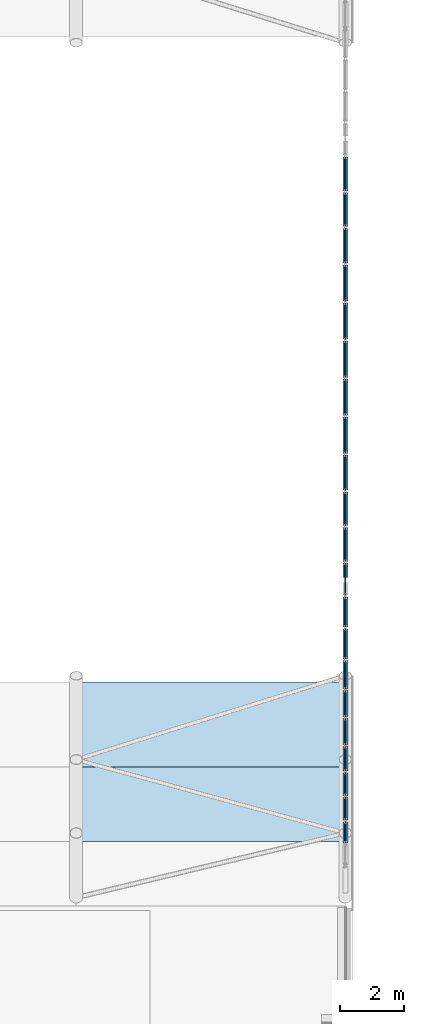
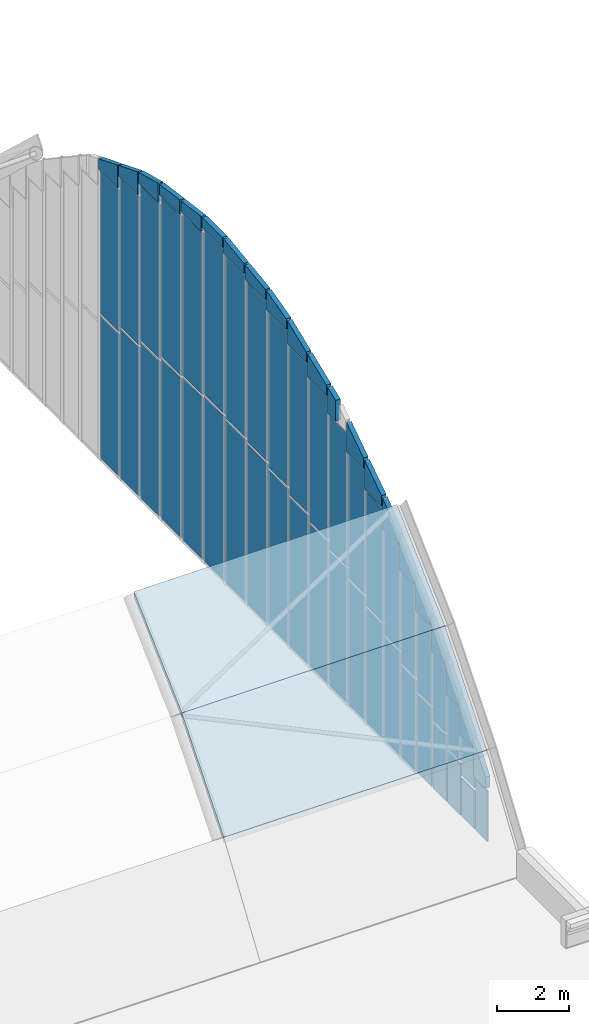
# One storey, part 58 of 77: 62 plates, 2 slabs, 1 element without a shape of its own.
"""IFC4 building model written with IfcOpenShell, lengths in metres."""

from ifc_helpers import new_model, si_unit, direction, frame, origin, origin_2d, place, context, subcontext, project, spatial, polyline, rectangle, outline, extrude, material, layer, layer_set, type_object, element, aggregate, save


model = new_model("IFC4")

# Units and contexts
model_context = context("Model", 3, precision=1e-05, world=origin(), true_north=direction((0.0, 1.0)))
body_context = subcontext(model_context, "Body", "Model", "MODEL_VIEW")
ifc_project = project(units=[si_unit("LENGTHUNIT", "METRE"), si_unit("AREAUNIT", "SQUARE_METRE"), si_unit("VOLUMEUNIT", "CUBIC_METRE"), si_unit("PLANEANGLEUNIT", "RADIAN"), si_unit("MASSUNIT", "GRAM", prefix="KILO")], contexts=[model_context])

# Site, building, storey
site_placement = place(None, origin())
site = spatial("IfcSite", under=ifc_project, at=site_placement, CompositionType="ELEMENT")
building_placement = place(site_placement, origin())
building = spatial("IfcBuilding", under=site, at=building_placement, Name="Catenary Quay Ferry Terminal", CompositionType="ELEMENT")
storey_placement = place(building_placement, frame((0.0, 0.0, 10.800048828125)))
storey = spatial("IfcBuildingStorey", under=building, at=storey_placement, Name="L02", CompositionType="ELEMENT", Elevation=10.800048828125)

# Curtain wall, plates
ifc_material_1 = material(Name="Aluminium and glass", Category="aluminium")
curtain_wall_type = type_object("IfcCurtainWallType", Name="CWA", PredefinedType="NOTDEFINED", material=ifc_material_1)
curtain_wall_placement = place(storey_placement, origin())
curtain_wall = element("IfcCurtainWall", 1, at=curtain_wall_placement, inside=storey, type_object=curtain_wall_type, Name="Arch departure hall curtain wall CW21", PredefinedType="NOTDEFINED")
ifc_material_2 = material(Name="Glass", Category="glass")
ifc_layer_1 = layer(ifc_material_2, 0.035888671875)
ifc_layer_set_1 = layer_set([ifc_layer_1], Name="PN4")
plate_type_1 = type_object("IfcPlateType", Name="PN4", PredefinedType="CURTAIN_PANEL", material=ifc_layer_set_1)
plate_1_placement = place(storey_placement, frame((92.39990234375, 111.238037109375, 0.099853515625), z_axis=(0.0, 0.0, 1.0), x_axis=(0.0, 1.0, 0.0)))
plate_1 = element("IfcPlate", 2, at=plate_1_placement, type_object=plate_type_1, Name="CW21 panel 2.1", PredefinedType="CURTAIN_PANEL", context=body_context, shape_type="SweptSolid", body=[
    extrude(rectangle(XDim=0.65771484375, YDim=0.035888671875, at=origin_2d()), origin(), (0.0, 0.0, 1.0), 1.7158203125),
])
plate_2_placement = place(storey_placement, frame((92.39990234375, 111.97900390625, 0.10009765625), z_axis=(0.0, 0.0, 1.0), x_axis=(0.0, 1.0, 0.0)))
plate_2 = element("IfcPlate", 3, at=plate_2_placement, type_object=plate_type_1, Name="CW21 panel 3.1", PredefinedType="CURTAIN_PANEL", context=body_context, shape_type="SweptSolid", body=[
    extrude(rectangle(XDim=0.7041015625, YDim=0.035888671875, at=origin_2d()), origin(), (0.0, 0.0, 1.0), 1.285888671875),
])
plate_3_placement = place(storey_placement, frame((92.39990234375, 111.97900390625, 1.48583984375), z_axis=(0.0, 0.0, 1.0), x_axis=(0.0, 1.0, 0.0)))
plate_3 = element("IfcPlate", 4, at=plate_3_placement, type_object=plate_type_1, Name="CW21 panel 3.2", PredefinedType="CURTAIN_PANEL", context=body_context, shape_type="SweptSolid", body=[
    extrude(rectangle(XDim=0.7041015625, YDim=0.035888671875, at=origin_2d()), origin(), (0.0, 0.0, 1.0), 1.285888671875),
])
plate_4_placement = place(storey_placement, frame((92.39990234375, 112.742919921875, 0.099853515625), z_axis=(0.0, 0.0, 1.0), x_axis=(0.0, 1.0, 0.0)))
plate_4 = element("IfcPlate", 5, at=plate_4_placement, type_object=plate_type_1, Name="CW21 panel 4.1", PredefinedType="CURTAIN_PANEL", context=body_context, shape_type="SweptSolid", body=[
    extrude(rectangle(XDim=0.7041015625, YDim=0.035888671875, at=origin_2d()), origin(), (0.0, 0.0, 1.0), 1.74658203125),
])
plate_5_placement = place(storey_placement, frame((92.39990234375, 112.742919921875, 1.9462890625), z_axis=(0.0, 0.0, 1.0), x_axis=(0.0, 1.0, 0.0)))
plate_5 = element("IfcPlate", 6, at=plate_5_placement, type_object=plate_type_1, Name="CW21 panel 4.2", PredefinedType="CURTAIN_PANEL", context=body_context, shape_type="SweptSolid", body=[
    extrude(rectangle(XDim=0.7041015625, YDim=0.035888671875, at=origin_2d()), origin(), (0.0, 0.0, 1.0), 1.74658203125),
])
plate_6_placement = place(storey_placement, frame((92.39990234375, 113.5341796875, 0.10009765625), z_axis=(0.0, 0.0, 1.0), x_axis=(0.0, 1.0, 0.0)))
plate_6 = element("IfcPlate", 7, at=plate_6_placement, type_object=plate_type_1, Name="CW21 panel 5.1", PredefinedType="CURTAIN_PANEL", context=body_context, shape_type="SweptSolid", body=[
    extrude(rectangle(XDim=0.758544921875, YDim=0.035888671875, at=origin_2d()), origin(), (0.0, 0.0, 1.0), 2.207275390625),
])
plate_7_placement = place(storey_placement, frame((92.39990234375, 113.5341796875, 2.4072265625), z_axis=(0.0, 0.0, 1.0), x_axis=(0.0, 1.0, 0.0)))
plate_7 = element("IfcPlate", 8, at=plate_7_placement, type_object=plate_type_1, Name="CW21 panel 5.2", PredefinedType="CURTAIN_PANEL", context=body_context, shape_type="SweptSolid", body=[
    extrude(rectangle(XDim=0.758544921875, YDim=0.035888671875, at=origin_2d()), origin(), (0.0, 0.0, 1.0), 2.207275390625),
])
plate_8_placement = place(storey_placement, frame((92.39990234375, 114.3798828125, 0.099853515625), z_axis=(0.0, 0.0, 1.0), x_axis=(0.0, 1.0, 0.0)))
plate_8 = element("IfcPlate", 9, at=plate_8_placement, type_object=plate_type_1, Name="CW21 panel 6.1", PredefinedType="CURTAIN_PANEL", context=body_context, shape_type="SweptSolid", body=[
    extrude(rectangle(XDim=0.81298828125, YDim=0.035888671875, at=origin_2d()), origin(), (0.0, 0.0, 1.0), 2.64208984375),
])
plate_9_placement = place(storey_placement, frame((92.39990234375, 114.3798828125, 2.842041015625), z_axis=(0.0, 0.0, 1.0), x_axis=(0.0, 1.0, 0.0)))
plate_9 = element("IfcPlate", 10, at=plate_9_placement, type_object=plate_type_1, Name="CW21 panel 6.2", PredefinedType="CURTAIN_PANEL", context=body_context, shape_type="SweptSolid", body=[
    extrude(rectangle(XDim=0.81298828125, YDim=0.035888671875, at=origin_2d()), origin(), (0.0, 0.0, 1.0), 2.64208984375),
])
plate_10_placement = place(storey_placement, frame((92.39990234375, 115.2529296875, 0.099853515625), z_axis=(0.0, 0.0, 1.0), x_axis=(0.0, 1.0, 0.0)))
plate_10 = element("IfcPlate", 11, at=plate_10_placement, type_object=plate_type_1, Name="CW21 panel 7.1", PredefinedType="CURTAIN_PANEL", context=body_context, shape_type="SweptSolid", body=[
    extrude(rectangle(XDim=0.81298828125, YDim=0.035888671875, at=origin_2d()), origin(), (0.0, 0.0, 1.0), 3.05126953125),
])
plate_11_placement = place(storey_placement, frame((92.39990234375, 115.2529296875, 3.251220703125), z_axis=(0.0, 0.0, 1.0), x_axis=(0.0, 1.0, 0.0)))
plate_11 = element("IfcPlate", 12, at=plate_11_placement, type_object=plate_type_1, Name="CW21 panel 7.2", PredefinedType="CURTAIN_PANEL", context=body_context, shape_type="SweptSolid", body=[
    extrude(rectangle(XDim=0.81298828125, YDim=0.035888671875, at=origin_2d()), origin(), (0.0, 0.0, 1.0), 3.05126953125),
])
plate_12_placement = place(storey_placement, frame((92.39990234375, 116.156494140625, 0.099853515625), z_axis=(0.0, 0.0, 1.0), x_axis=(0.0, 1.0, 0.0)))
plate_12 = element("IfcPlate", 13, at=plate_12_placement, type_object=plate_type_1, Name="CW21 panel 8.1", PredefinedType="CURTAIN_PANEL", context=body_context, shape_type="SweptSolid", body=[
    extrude(rectangle(XDim=0.873779296875, YDim=0.035888671875, at=origin_2d()), origin(), (0.0, 0.0, 1.0), 3.46044921875),
])
plate_13_placement = place(storey_placement, frame((92.39990234375, 116.156494140625, 3.660400390625), z_axis=(0.0, 0.0, 1.0), x_axis=(0.0, 1.0, 0.0)))
plate_13 = element("IfcPlate", 14, at=plate_13_placement, type_object=plate_type_1, Name="CW21 panel 8.2", PredefinedType="CURTAIN_PANEL", context=body_context, shape_type="SweptSolid", body=[
    extrude(rectangle(XDim=0.873779296875, YDim=0.035888671875, at=origin_2d()), origin(), (0.0, 0.0, 1.0), 3.46044921875),
])
plate_14_placement = place(storey_placement, frame((92.39990234375, 117.12060546875, 0.10009765625), z_axis=(0.0, 0.0, 1.0), x_axis=(0.0, 1.0, 0.0)))
plate_14 = element("IfcPlate", 15, at=plate_14_placement, type_object=plate_type_1, Name="CW21 panel 9.1", PredefinedType="CURTAIN_PANEL", context=body_context, shape_type="SweptSolid", body=[
    extrude(rectangle(XDim=0.9345703125, YDim=0.035888671875, at=origin_2d()), origin(), (0.0, 0.0, 1.0), 3.831298828125),
])
plate_15_placement = place(storey_placement, frame((92.39990234375, 117.12060546875, 4.03125), z_axis=(0.0, 0.0, 1.0), x_axis=(0.0, 1.0, 0.0)))
plate_15 = element("IfcPlate", 16, at=plate_15_placement, type_object=plate_type_1, Name="CW21 panel 9.2", PredefinedType="CURTAIN_PANEL", context=body_context, shape_type="SweptSolid", body=[
    extrude(rectangle(XDim=0.9345703125, YDim=0.035888671875, at=origin_2d()), origin(), (0.0, 0.0, 1.0), 3.831298828125),
])
plate_16_placement = place(storey_placement, frame((92.39990234375, 118.115234375, 0.10009765625), z_axis=(0.0, 0.0, 1.0), x_axis=(0.0, 1.0, 0.0)))
plate_16 = element("IfcPlate", 17, at=plate_16_placement, type_object=plate_type_1, Name="CW21 panel 10.1", PredefinedType="CURTAIN_PANEL", context=body_context, shape_type="SweptSolid", body=[
    extrude(rectangle(XDim=0.9345703125, YDim=0.035888671875, at=origin_2d()), origin(), (0.0, 0.0, 1.0), 4.164306640625),
])
plate_17_placement = place(storey_placement, frame((92.39990234375, 118.115234375, 4.3642578125), z_axis=(0.0, 0.0, 1.0), x_axis=(0.0, 1.0, 0.0)))
plate_17 = element("IfcPlate", 18, at=plate_17_placement, type_object=plate_type_1, Name="CW21 panel 10.2", PredefinedType="CURTAIN_PANEL", context=body_context, shape_type="SweptSolid", body=[
    extrude(rectangle(XDim=0.9345703125, YDim=0.035888671875, at=origin_2d()), origin(), (0.0, 0.0, 1.0), 4.164306640625),
])
plate_18_placement = place(storey_placement, frame((92.39990234375, 119.138916015625, 0.099853515625), z_axis=(0.0, 0.0, 1.0), x_axis=(0.0, 1.0, 0.0)))
plate_18 = element("IfcPlate", 19, at=plate_18_placement, type_object=plate_type_1, Name="CW21 panel 11.1", PredefinedType="CURTAIN_PANEL", context=body_context, shape_type="SweptSolid", body=[
    extrude(rectangle(XDim=0.992431640625, YDim=0.035888671875, at=origin_2d()), origin(), (0.0, 0.0, 1.0), 4.4970703125),
])
plate_19_placement = place(storey_placement, frame((92.39990234375, 119.138916015625, 4.697021484375), z_axis=(0.0, 0.0, 1.0), x_axis=(0.0, 1.0, 0.0)))
plate_19 = element("IfcPlate", 20, at=plate_19_placement, type_object=plate_type_1, Name="CW21 panel 11.2", PredefinedType="CURTAIN_PANEL", context=body_context, shape_type="SweptSolid", body=[
    extrude(rectangle(XDim=0.992431640625, YDim=0.035888671875, at=origin_2d()), origin(), (0.0, 0.0, 1.0), 4.4970703125),
])
plate_20_placement = place(storey_placement, frame((92.39990234375, 120.22021484375, 0.099853515625), z_axis=(0.0, 0.0, 1.0), x_axis=(0.0, 1.0, 0.0)))
plate_20 = element("IfcPlate", 21, at=plate_20_placement, type_object=plate_type_1, Name="CW21 panel 12.1", PredefinedType="CURTAIN_PANEL", context=body_context, shape_type="SweptSolid", body=[
    extrude(rectangle(XDim=1.05029296875, YDim=0.035888671875, at=origin_2d()), origin(), (0.0, 0.0, 1.0), 4.77490234375),
])
plate_21_placement = place(storey_placement, frame((92.39990234375, 120.22021484375, 4.974853515625), z_axis=(0.0, 0.0, 1.0), x_axis=(0.0, 1.0, 0.0)))
plate_21 = element("IfcPlate", 22, at=plate_21_placement, type_object=plate_type_1, Name="CW21 panel 12.2", PredefinedType="CURTAIN_PANEL", context=body_context, shape_type="SweptSolid", body=[
    extrude(rectangle(XDim=1.05029296875, YDim=0.035888671875, at=origin_2d()), origin(), (0.0, 0.0, 1.0), 4.77490234375),
])
plate_22_placement = place(storey_placement, frame((92.39990234375, 121.33056640625, 0.10009765625), z_axis=(0.0, 0.0, 1.0), x_axis=(0.0, 1.0, 0.0)))
plate_22 = element("IfcPlate", 23, at=plate_22_placement, type_object=plate_type_1, Name="CW21 panel 13.1", PredefinedType="CURTAIN_PANEL", context=body_context, shape_type="SweptSolid", body=[
    extrude(rectangle(XDim=1.05029296875, YDim=0.035888671875, at=origin_2d()), origin(), (0.0, 0.0, 1.0), 4.997802734375),
])
plate_23_placement = place(storey_placement, frame((92.39990234375, 121.33056640625, 5.19775390625), z_axis=(0.0, 0.0, 1.0), x_axis=(0.0, 1.0, 0.0)))
plate_23 = element("IfcPlate", 24, at=plate_23_placement, type_object=plate_type_1, Name="CW21 panel 13.2", PredefinedType="CURTAIN_PANEL", context=body_context, shape_type="SweptSolid", body=[
    extrude(rectangle(XDim=1.05029296875, YDim=0.035888671875, at=origin_2d()), origin(), (0.0, 0.0, 1.0), 4.997802734375),
])
plate_24_placement = place(storey_placement, frame((92.39990234375, 122.4599609375, 0.099853515625), z_axis=(0.0, 0.0, 1.0), x_axis=(0.0, 1.0, 0.0)))
plate_24 = element("IfcPlate", 25, at=plate_24_placement, type_object=plate_type_1, Name="CW21 panel 14.1", PredefinedType="CURTAIN_PANEL", context=body_context, shape_type="SweptSolid", body=[
    extrude(rectangle(XDim=1.08837890625, YDim=0.035888671875, at=origin_2d()), origin(), (0.0, 0.0, 1.0), 5.220703125),
])
plate_25_placement = place(storey_placement, frame((92.39990234375, 122.4599609375, 5.42041015625), z_axis=(0.0, 0.0, 1.0), x_axis=(0.0, 1.0, 0.0)))
plate_25 = element("IfcPlate", 26, at=plate_25_placement, type_object=plate_type_1, Name="CW21 panel 14.2", PredefinedType="CURTAIN_PANEL", context=body_context, shape_type="SweptSolid", body=[
    extrude(rectangle(XDim=1.08837890625, YDim=0.035888671875, at=origin_2d()), origin(), (0.0, 0.0, 1.0), 5.220703125),
])
plate_26_placement = place(storey_placement, frame((92.39990234375, 123.62744140625, 0.10009765625), z_axis=(0.0, 0.0, 1.0), x_axis=(0.0, 1.0, 0.0)))
plate_26 = element("IfcPlate", 27, at=plate_26_placement, type_object=plate_type_1, Name="CW21 panel 15.1", PredefinedType="CURTAIN_PANEL", context=body_context, shape_type="SweptSolid", body=[
    extrude(rectangle(XDim=1.126220703125, YDim=0.035888671875, at=origin_2d()), origin(), (0.0, 0.0, 1.0), 5.37158203125),
])
plate_27_placement = place(storey_placement, frame((92.39990234375, 123.62744140625, 5.57177734375), z_axis=(0.0, 0.0, 1.0), x_axis=(0.0, 1.0, 0.0)))
plate_27 = element("IfcPlate", 28, at=plate_27_placement, type_object=plate_type_1, Name="CW21 panel 15.2", PredefinedType="CURTAIN_PANEL", context=body_context, shape_type="SweptSolid", body=[
    extrude(rectangle(XDim=1.126220703125, YDim=0.035888671875, at=origin_2d()), origin(), (0.0, 0.0, 1.0), 5.37158203125),
])
plate_28_placement = place(storey_placement, frame((92.39990234375, 124.813720703125, 0.10009765625), z_axis=(0.0, 0.0, 1.0), x_axis=(0.0, 1.0, 0.0)))
plate_28 = element("IfcPlate", 29, at=plate_28_placement, type_object=plate_type_1, Name="CW21 panel 16.1", PredefinedType="CURTAIN_PANEL", context=body_context, shape_type="SweptSolid", body=[
    extrude(rectangle(XDim=1.126220703125, YDim=0.035888671875, at=origin_2d()), origin(), (0.0, 0.0, 1.0), 5.450927734375),
])
plate_29_placement = place(storey_placement, frame((92.39990234375, 124.813720703125, 5.65087890625), z_axis=(0.0, 0.0, 1.0), x_axis=(0.0, 1.0, 0.0)))
plate_29 = element("IfcPlate", 30, at=plate_29_placement, type_object=plate_type_1, Name="CW21 panel 16.2", PredefinedType="CURTAIN_PANEL", context=body_context, shape_type="SweptSolid", body=[
    extrude(rectangle(XDim=1.126220703125, YDim=0.035888671875, at=origin_2d()), origin(), (0.0, 0.0, 1.0), 5.450927734375),
])
plate_30_placement = place(storey_placement, frame((92.39990234375, 126.0, 0.10009765625), z_axis=(0.0, 0.0, 1.0), x_axis=(0.0, 1.0, 0.0)))
plate_30 = element("IfcPlate", 31, at=plate_30_placement, type_object=plate_type_1, Name="CW21 panel 17.1", PredefinedType="CURTAIN_PANEL", context=body_context, shape_type="SweptSolid", body=[
    extrude(rectangle(XDim=1.126220703125, YDim=0.035888671875, at=origin_2d()), origin(), (0.0, 0.0, 1.0), 5.5302734375),
])
plate_31_placement = place(storey_placement, frame((92.39990234375, 126.0, 5.730224609375), z_axis=(0.0, 0.0, 1.0), x_axis=(0.0, 1.0, 0.0)))
plate_31 = element("IfcPlate", 32, at=plate_31_placement, type_object=plate_type_1, Name="CW21 panel 17.2", PredefinedType="CURTAIN_PANEL", context=body_context, shape_type="SweptSolid", body=[
    extrude(rectangle(XDim=1.126220703125, YDim=0.035888671875, at=origin_2d()), origin(), (0.0, 0.0, 1.0), 5.5302734375),
])
plate_32_placement = place(storey_placement, frame((92.39990234375, 127.186279296875, 0.10009765625), z_axis=(0.0, 0.0, 1.0), x_axis=(0.0, 1.0, 0.0)))
plate_32 = element("IfcPlate", 33, at=plate_32_placement, type_object=plate_type_1, Name="CW21 panel 18.1", PredefinedType="CURTAIN_PANEL", context=body_context, shape_type="SweptSolid", body=[
    extrude(rectangle(XDim=1.126220703125, YDim=0.035888671875, at=origin_2d()), origin(), (0.0, 0.0, 1.0), 5.450927734375),
])
plate_33_placement = place(storey_placement, frame((92.39990234375, 127.186279296875, 5.65087890625), z_axis=(0.0, 0.0, 1.0), x_axis=(0.0, 1.0, 0.0)))
plate_33 = element("IfcPlate", 34, at=plate_33_placement, type_object=plate_type_1, Name="CW21 panel 18.2", PredefinedType="CURTAIN_PANEL", context=body_context, shape_type="SweptSolid", body=[
    extrude(rectangle(XDim=1.126220703125, YDim=0.035888671875, at=origin_2d()), origin(), (0.0, 0.0, 1.0), 5.450927734375),
])
plate_34_placement = place(storey_placement, frame((92.39990234375, 128.37255859375, 0.10009765625), z_axis=(0.0, 0.0, 1.0), x_axis=(0.0, 1.0, 0.0)))
plate_34 = element("IfcPlate", 35, at=plate_34_placement, type_object=plate_type_1, Name="CW21 panel 19.1", PredefinedType="CURTAIN_PANEL", context=body_context, shape_type="SweptSolid", body=[
    extrude(rectangle(XDim=1.126220703125, YDim=0.035888671875, at=origin_2d()), origin(), (0.0, 0.0, 1.0), 5.37158203125),
])
plate_35_placement = place(storey_placement, frame((92.39990234375, 128.37255859375, 5.57177734375), z_axis=(0.0, 0.0, 1.0), x_axis=(0.0, 1.0, 0.0)))
plate_35 = element("IfcPlate", 36, at=plate_35_placement, type_object=plate_type_1, Name="CW21 panel 19.2", PredefinedType="CURTAIN_PANEL", context=body_context, shape_type="SweptSolid", body=[
    extrude(rectangle(XDim=1.126220703125, YDim=0.035888671875, at=origin_2d()), origin(), (0.0, 0.0, 1.0), 5.37158203125),
])
plate_36_placement = place(storey_placement, frame((92.39990234375, 129.5400390625, 0.099853515625), z_axis=(0.0, 0.0, 1.0), x_axis=(0.0, 1.0, 0.0)))
plate_36 = element("IfcPlate", 37, at=plate_36_placement, type_object=plate_type_1, Name="CW21 panel 20.1", PredefinedType="CURTAIN_PANEL", context=body_context, shape_type="SweptSolid", body=[
    extrude(rectangle(XDim=1.08837890625, YDim=0.035888671875, at=origin_2d()), origin(), (0.0, 0.0, 1.0), 5.220703125),
])
plate_37_placement = place(storey_placement, frame((92.39990234375, 129.5400390625, 5.42041015625), z_axis=(0.0, 0.0, 1.0), x_axis=(0.0, 1.0, 0.0)))
plate_37 = element("IfcPlate", 38, at=plate_37_placement, type_object=plate_type_1, Name="CW21 panel 20.2", PredefinedType="CURTAIN_PANEL", context=body_context, shape_type="SweptSolid", body=[
    extrude(rectangle(XDim=1.08837890625, YDim=0.035888671875, at=origin_2d()), origin(), (0.0, 0.0, 1.0), 5.220703125),
])
plate_38_placement = place(storey_placement, frame((92.39990234375, 130.66943359375, 0.10009765625), z_axis=(0.0, 0.0, 1.0), x_axis=(0.0, 1.0, 0.0)))
plate_38 = element("IfcPlate", 39, at=plate_38_placement, type_object=plate_type_1, Name="CW21 panel 21.1", PredefinedType="CURTAIN_PANEL", context=body_context, shape_type="SweptSolid", body=[
    extrude(rectangle(XDim=1.05029296875, YDim=0.035888671875, at=origin_2d()), origin(), (0.0, 0.0, 1.0), 4.997802734375),
])
plate_39_placement = place(storey_placement, frame((92.39990234375, 130.66943359375, 5.19775390625), z_axis=(0.0, 0.0, 1.0), x_axis=(0.0, 1.0, 0.0)))
plate_39 = element("IfcPlate", 40, at=plate_39_placement, type_object=plate_type_1, Name="CW21 panel 21.2", PredefinedType="CURTAIN_PANEL", context=body_context, shape_type="SweptSolid", body=[
    extrude(rectangle(XDim=1.05029296875, YDim=0.035888671875, at=origin_2d()), origin(), (0.0, 0.0, 1.0), 4.997802734375),
])
plate_40_placement = place(storey_placement, frame((92.39990234375, 131.77978515625, 0.099853515625), z_axis=(0.0, 0.0, 1.0), x_axis=(0.0, 1.0, 0.0)))
plate_40 = element("IfcPlate", 41, at=plate_40_placement, type_object=plate_type_1, Name="CW21 panel 22.1", PredefinedType="CURTAIN_PANEL", context=body_context, shape_type="SweptSolid", body=[
    extrude(rectangle(XDim=1.05029296875, YDim=0.035888671875, at=origin_2d()), origin(), (0.0, 0.0, 1.0), 4.77490234375),
])
plate_41_placement = place(storey_placement, frame((92.39990234375, 131.77978515625, 4.974853515625), z_axis=(0.0, 0.0, 1.0), x_axis=(0.0, 1.0, 0.0)))
plate_41 = element("IfcPlate", 42, at=plate_41_placement, type_object=plate_type_1, Name="CW21 panel 22.2", PredefinedType="CURTAIN_PANEL", context=body_context, shape_type="SweptSolid", body=[
    extrude(rectangle(XDim=1.05029296875, YDim=0.035888671875, at=origin_2d()), origin(), (0.0, 0.0, 1.0), 4.77490234375),
])
ifc_material_3 = material(Name="Ceramic tile facing on insulated backing")
ifc_layer_2 = layer(ifc_material_3, 0.14990234375)
ifc_layer_set_2 = layer_set([ifc_layer_2], Name="PN7")
plate_type_2 = type_object("IfcPlateType", Name="PN7", PredefinedType="CURTAIN_PANEL", material=ifc_layer_set_2)
plate_42_placement = place(storey_placement, frame((92.39990234375, 110.9091796875, 1.915771484375), z_axis=(0.0, 0.0, 1.0), x_axis=(0.0, 1.0, 0.0)))
plate_42 = element("IfcPlate", 43, at=plate_42_placement, type_object=plate_type_2, Name="CW21 spandrel panel 3", PredefinedType="CURTAIN_PANEL", context=body_context, shape_type="SweptSolid", body=[
    extrude(outline(polyline([(0.0, 0.0), (0.65771484375, 0.0), (0.65771484375, 1.259765625), (0.0, 0.38427734375), (0.0, 0.0)])), frame((0.0, 0.074951171875, 0.0), z_axis=(0.0, -1.0, 0.0), x_axis=(1.0, 0.0, 0.0)), (0.0, 0.0, 1.0), 0.14990234375),
])
plate_43_placement = place(storey_placement, frame((92.39990234375, 111.626953125, 2.87158203125), z_axis=(0.0, 0.0, 1.0), x_axis=(0.0, 1.0, 0.0)))
plate_43 = element("IfcPlate", 44, at=plate_43_placement, type_object=plate_type_2, Name="CW21 spandrel panel 4", PredefinedType="CURTAIN_PANEL", context=body_context, shape_type="SweptSolid", body=[
    extrude(outline(polyline([(0.0, 0.0), (0.7041015625, 0.0), (0.7041015625, 1.22509765625), (0.0, 0.376220703125), (0.0, 0.0)])), frame((0.0, 0.074951171875, 0.0), z_axis=(0.0, -1.0, 0.0), x_axis=(1.0, 0.0, 0.0)), (0.0, 0.0, 1.0), 0.14990234375),
])
plate_44_placement = place(storey_placement, frame((92.39990234375, 112.39111328125, 3.79296875), z_axis=(0.0, 0.0, 1.0), x_axis=(0.0, 1.0, 0.0)))
plate_44 = element("IfcPlate", 45, at=plate_44_placement, type_object=plate_type_2, Name="CW21 spandrel panel 5", PredefinedType="CURTAIN_PANEL", context=body_context, shape_type="SweptSolid", body=[
    extrude(outline(polyline([(0.0, 0.0), (0.7041015625, 0.0), (0.7041015625, 1.22509765625), (0.0, 0.376220703125), (0.0, 0.0)])), frame((0.0, 0.074951171875, 0.0), z_axis=(0.0, -1.0, 0.0), x_axis=(1.0, 0.0, 0.0)), (0.0, 0.0, 1.0), 0.14990234375),
])
plate_45_placement = place(storey_placement, frame((92.39990234375, 113.155029296875, 4.71435546875), z_axis=(0.0, 0.0, 1.0), x_axis=(0.0, 1.0, 0.0)))
plate_45 = element("IfcPlate", 46, at=plate_45_placement, type_object=plate_type_2, Name="CW21 spandrel panel 6", PredefinedType="CURTAIN_PANEL", context=body_context, shape_type="SweptSolid", body=[
    extrude(outline(polyline([(0.0, 0.0), (0.758544921875, 0.0), (0.758544921875, 1.181640625), (0.0, 0.376220703125), (0.0, 0.0)])), frame((0.0, 0.074951171875, 0.0), z_axis=(0.0, -1.0, 0.0), x_axis=(1.0, 0.0, 0.0)), (0.0, 0.0, 1.0), 0.14990234375),
])
plate_46_placement = place(storey_placement, frame((92.39990234375, 113.973388671875, 5.584228515625), z_axis=(0.0, 0.0, 1.0), x_axis=(0.0, 1.0, 0.0)))
plate_46 = element("IfcPlate", 47, at=plate_46_placement, type_object=plate_type_2, Name="CW21 spandrel panel 7", PredefinedType="CURTAIN_PANEL", context=body_context, shape_type="SweptSolid", body=[
    extrude(outline(polyline([(0.0, 0.0), (0.81298828125, 0.0), (0.81298828125, 1.130126953125), (0.0, 0.367919921875), (0.0, 0.0)])), frame((0.0, 0.074951171875, 0.0), z_axis=(0.0, -1.0, 0.0), x_axis=(1.0, 0.0, 0.0)), (0.0, 0.0, 1.0), 0.14990234375),
])
plate_47_placement = place(storey_placement, frame((92.39990234375, 114.846435546875, 6.40234375), z_axis=(0.0, 0.0, 1.0), x_axis=(0.0, 1.0, 0.0)))
plate_47 = element("IfcPlate", 48, at=plate_47_placement, type_object=plate_type_2, Name="CW21 spandrel panel 8", PredefinedType="CURTAIN_PANEL", context=body_context, shape_type="SweptSolid", body=[
    extrude(outline(polyline([(0.0, 0.0), (0.81298828125, 0.0), (0.81298828125, 1.13037109375), (0.0, 0.3681640625), (0.0, 0.0)])), frame((0.0, 0.074951171875, 0.0), z_axis=(0.0, -1.0, 0.0), x_axis=(1.0, 0.0, 0.0)), (0.0, 0.0, 1.0), 0.14990234375),
])
plate_48_placement = place(storey_placement, frame((92.39990234375, 115.719482421875, 7.220703125), z_axis=(0.0, 0.0, 1.0), x_axis=(0.0, 1.0, 0.0)))
plate_48 = element("IfcPlate", 49, at=plate_48_placement, type_object=plate_type_2, Name="CW21 spandrel panel 9", PredefinedType="CURTAIN_PANEL", context=body_context, shape_type="SweptSolid", body=[
    extrude(outline(polyline([(0.0, 0.0), (0.873779296875, 0.0), (0.873779296875, 1.06201171875), (0.0, 0.3681640625), (0.0, 0.0)])), frame((0.0, 0.074951171875, 0.0), z_axis=(0.0, -1.0, 0.0), x_axis=(1.0, 0.0, 0.0)), (0.0, 0.0, 1.0), 0.14990234375),
])
plate_49_placement = place(storey_placement, frame((92.39990234375, 116.6533203125, 7.962890625), z_axis=(0.0, 0.0, 1.0), x_axis=(0.0, 1.0, 0.0)))
plate_49 = element("IfcPlate", 50, at=plate_49_placement, type_object=plate_type_2, Name="CW21 spandrel panel 10", PredefinedType="CURTAIN_PANEL", context=body_context, shape_type="SweptSolid", body=[
    extrude(outline(polyline([(0.0, 0.0), (0.9345703125, 0.0), (0.9345703125, 0.985595703125), (0.0, 0.35986328125), (0.0, 0.0)])), frame((0.0, 0.074951171875, 0.0), z_axis=(0.0, -1.0, 0.0), x_axis=(1.0, 0.0, 0.0)), (0.0, 0.0, 1.0), 0.14990234375),
])
plate_50_placement = place(storey_placement, frame((92.39990234375, 117.64794921875, 8.62841796875), z_axis=(0.0, 0.0, 1.0), x_axis=(0.0, 1.0, 0.0)))
plate_50 = element("IfcPlate", 51, at=plate_50_placement, type_object=plate_type_2, Name="CW21 spandrel panel 11", PredefinedType="CURTAIN_PANEL", context=body_context, shape_type="SweptSolid", body=[
    extrude(outline(polyline([(0.0, 0.0), (0.9345703125, 0.0), (0.9345703125, 0.985595703125), (0.0, 0.360107421875), (0.0, 0.0)])), frame((0.0, 0.074951171875, 0.0), z_axis=(0.0, -1.0, 0.0), x_axis=(1.0, 0.0, 0.0)), (0.0, 0.0, 1.0), 0.14990234375),
])
plate_51_placement = place(storey_placement, frame((92.39990234375, 119.18505859375, 9.294189453125), z_axis=(0.0, 0.0, 1.0), x_axis=(0.0, 1.0, 0.0)))
plate_51 = element("IfcPlate", 52, at=plate_51_placement, type_object=plate_type_2, Name="CW21 spandrel panel 13", PredefinedType="CURTAIN_PANEL", context=body_context, shape_type="SweptSolid", body=[
    extrude(outline(polyline([(0.0, 0.0), (0.4501953125, 0.0), (0.4501953125, 0.883544921875), (0.0, 0.702880859375), (0.0, 0.0)])), frame((0.0, 0.074951171875, 0.0), z_axis=(0.0, -1.0, 0.0), x_axis=(1.0, 0.0, 0.0)), (0.0, 0.0, 1.0), 0.14990234375),
])
plate_52_placement = place(storey_placement, frame((92.39990234375, 119.695068359375, 9.849853515625), z_axis=(0.0, 0.0, 1.0), x_axis=(0.0, 1.0, 0.0)))
plate_52 = element("IfcPlate", 53, at=plate_52_placement, type_object=plate_type_2, Name="CW21 spandrel panel 14", PredefinedType="CURTAIN_PANEL", context=body_context, shape_type="SweptSolid", body=[
    extrude(outline(polyline([(0.0, 0.0), (1.05029296875, 0.0), (1.05029296875, 0.7734375), (0.0, 0.35205078125), (0.0, 0.0)])), frame((0.0, 0.074951171875, 0.0), z_axis=(0.0, -1.0, 0.0), x_axis=(1.0, 0.0, 0.0)), (0.0, 0.0, 1.0), 0.14990234375),
])
plate_53_placement = place(storey_placement, frame((92.39990234375, 120.805419921875, 10.29541015625), z_axis=(0.0, 0.0, 1.0), x_axis=(0.0, 1.0, 0.0)))
plate_53 = element("IfcPlate", 54, at=plate_53_placement, type_object=plate_type_2, Name="CW21 spandrel panel 15", PredefinedType="CURTAIN_PANEL", context=body_context, shape_type="SweptSolid", body=[
    extrude(outline(polyline([(0.0, 0.0), (1.05029296875, 0.0), (1.05029296875, 0.773681640625), (0.0, 0.35205078125), (0.0, 0.0)])), frame((0.0, 0.074951171875, 0.0), z_axis=(0.0, -1.0, 0.0), x_axis=(1.0, 0.0, 0.0)), (0.0, 0.0, 1.0), 0.14990234375),
])
plate_54_placement = place(storey_placement, frame((92.39990234375, 121.915771484375, 10.7412109375), z_axis=(0.0, 0.0, 1.0), x_axis=(0.0, 1.0, 0.0)))
plate_54 = element("IfcPlate", 55, at=plate_54_placement, type_object=plate_type_2, Name="CW21 spandrel panel 16", PredefinedType="CURTAIN_PANEL", context=body_context, shape_type="SweptSolid", body=[
    extrude(outline(polyline([(0.0, 0.0), (1.08837890625, 0.0), (1.08837890625, 0.637939453125), (0.0, 0.35205078125), (0.0, 0.0)])), frame((0.0, 0.074951171875, 0.0), z_axis=(0.0, -1.0, 0.0), x_axis=(1.0, 0.0, 0.0)), (0.0, 0.0, 1.0), 0.14990234375),
])
plate_55_placement = place(storey_placement, frame((92.39990234375, 123.064208984375, 11.043212890625), z_axis=(0.0, 0.0, 1.0), x_axis=(0.0, 1.0, 0.0)))
plate_55 = element("IfcPlate", 56, at=plate_55_placement, type_object=plate_type_2, Name="CW21 spandrel panel 17", PredefinedType="CURTAIN_PANEL", context=body_context, shape_type="SweptSolid", body=[
    extrude(outline(polyline([(0.0, 0.0), (1.126220703125, 0.0), (1.126220703125, 0.49462890625), (0.0, 0.343994140625), (0.0, 0.0)])), frame((0.0, 0.074951171875, 0.0), z_axis=(0.0, -1.0, 0.0), x_axis=(1.0, 0.0, 0.0)), (0.0, 0.0, 1.0), 0.14990234375),
])
plate_56_placement = place(storey_placement, frame((92.39990234375, 124.25048828125, 11.201904296875), z_axis=(0.0, 0.0, 1.0), x_axis=(0.0, 1.0, 0.0)))
plate_56 = element("IfcPlate", 57, at=plate_56_placement, type_object=plate_type_2, Name="CW21 spandrel panel 18", PredefinedType="CURTAIN_PANEL", context=body_context, shape_type="SweptSolid", body=[
    extrude(outline(polyline([(0.0, 0.0), (1.126220703125, 0.0), (1.126220703125, 0.49462890625), (0.0, 0.343994140625), (0.0, 0.0)])), frame((0.0, 0.074951171875, 0.0), z_axis=(0.0, -1.0, 0.0), x_axis=(1.0, 0.0, 0.0)), (0.0, 0.0, 1.0), 0.14990234375),
])
plate_57_placement = place(storey_placement, frame((92.39990234375, 125.436767578125, 11.360595703125), z_axis=(0.0, 0.0, 1.0), x_axis=(0.0, 1.0, 0.0)))
plate_57 = element("IfcPlate", 58, at=plate_57_placement, type_object=plate_type_2, Name="CW21 spandrel panel 19", PredefinedType="CURTAIN_PANEL", context=body_context, shape_type="SweptSolid", body=[
    extrude(outline(polyline([(0.0, 0.0), (1.126220703125, 0.0), (1.126220703125, 0.343994140625), (0.0, 0.343994140625), (0.0, 0.0)])), frame((0.0, 0.074951171875, 0.0), z_axis=(0.0, -1.0, 0.0), x_axis=(1.0, 0.0, 0.0)), (0.0, 0.0, 1.0), 0.14990234375),
])
plate_58_placement = place(storey_placement, frame((92.39990234375, 126.623046875, 11.201904296875), z_axis=(0.0, 0.0, 1.0), x_axis=(0.0, 1.0, 0.0)))
plate_58 = element("IfcPlate", 59, at=plate_58_placement, type_object=plate_type_2, Name="CW21 spandrel panel 20", PredefinedType="CURTAIN_PANEL", context=body_context, shape_type="SweptSolid", body=[
    extrude(outline(polyline([(0.0, 0.0), (1.126220703125, 0.0), (1.126220703125, 0.343994140625), (0.0, 0.49462890625), (0.0, 0.0)])), frame((0.0, 0.074951171875, 0.0), z_axis=(0.0, -1.0, 0.0), x_axis=(1.0, 0.0, 0.0)), (0.0, 0.0, 1.0), 0.14990234375),
])
plate_59_placement = place(storey_placement, frame((92.39990234375, 127.8095703125, 11.043212890625), z_axis=(0.0, 0.0, 1.0), x_axis=(0.0, 1.0, 0.0)))
plate_59 = element("IfcPlate", 60, at=plate_59_placement, type_object=plate_type_2, Name="CW21 spandrel panel 21", PredefinedType="CURTAIN_PANEL", context=body_context, shape_type="SweptSolid", body=[
    extrude(outline(polyline([(0.0, 0.0), (1.126220703125, 0.0), (1.126220703125, 0.343994140625), (0.0, 0.49462890625), (0.0, 0.0)])), frame((0.0, 0.074951171875, 0.0), z_axis=(0.0, -1.0, 0.0), x_axis=(1.0, 0.0, 0.0)), (0.0, 0.0, 1.0), 0.14990234375),
])
plate_60_placement = place(storey_placement, frame((92.39990234375, 128.995849609375, 10.7412109375), z_axis=(0.0, 0.0, 1.0), x_axis=(0.0, 1.0, 0.0)))
plate_60 = element("IfcPlate", 61, at=plate_60_placement, type_object=plate_type_2, Name="CW21 spandrel panel 22", PredefinedType="CURTAIN_PANEL", context=body_context, shape_type="SweptSolid", body=[
    extrude(outline(polyline([(0.0, 0.0), (1.08837890625, 0.0), (1.08837890625, 0.35205078125), (0.0, 0.637939453125), (0.0, 0.0)])), frame((0.0, 0.074951171875, 0.0), z_axis=(0.0, -1.0, 0.0), x_axis=(1.0, 0.0, 0.0)), (0.0, 0.0, 1.0), 0.14990234375),
])
plate_61_placement = place(storey_placement, frame((92.39990234375, 130.144287109375, 10.29541015625), z_axis=(0.0, 0.0, 1.0), x_axis=(0.0, 1.0, 0.0)))
plate_61 = element("IfcPlate", 62, at=plate_61_placement, type_object=plate_type_2, Name="CW21 spandrel panel 23", PredefinedType="CURTAIN_PANEL", context=body_context, shape_type="SweptSolid", body=[
    extrude(outline(polyline([(0.0, 0.0), (1.05029296875, 0.0), (1.05029296875, 0.35205078125), (0.0, 0.773681640625), (0.0, 0.0)])), frame((0.0, 0.074951171875, 0.0), z_axis=(0.0, -1.0, 0.0), x_axis=(1.0, 0.0, 0.0)), (0.0, 0.0, 1.0), 0.14990234375),
])
plate_62_placement = place(storey_placement, frame((92.39990234375, 131.25439453125, 9.849853515625), z_axis=(0.0, 0.0, 1.0), x_axis=(0.0, 1.0, 0.0)))
plate_62 = element("IfcPlate", 63, at=plate_62_placement, type_object=plate_type_2, Name="CW21 spandrel panel 24", PredefinedType="CURTAIN_PANEL", context=body_context, shape_type="SweptSolid", body=[
    extrude(outline(polyline([(0.0, 0.0), (1.05029296875, 0.0), (1.05029296875, 0.35205078125), (0.0, 0.7734375), (0.0, 0.0)])), frame((0.0, 0.074951171875, 0.0), z_axis=(0.0, -1.0, 0.0), x_axis=(1.0, 0.0, 0.0)), (0.0, 0.0, 1.0), 0.14990234375),
])
aggregate(curtain_wall, [plate_1, plate_42, plate_2, plate_3, plate_43, plate_4, plate_5, plate_44, plate_6, plate_7, plate_45, plate_8, plate_9, plate_46, plate_10, plate_11, plate_47, plate_12, plate_13, plate_48, plate_14, plate_15, plate_49, plate_16, plate_17, plate_50, plate_18, plate_19, plate_51, plate_20, plate_21, plate_52, plate_22, plate_23, plate_53, plate_24, plate_25, plate_54, plate_26, plate_27, plate_55, plate_28, plate_29, plate_56, plate_30, plate_31, plate_57, plate_32, plate_33, plate_58, plate_34, plate_35, plate_59, plate_36, plate_37, plate_60, plate_38, plate_39, plate_61, plate_40, plate_41, plate_62])

# Slabs
ifc_material_4 = material(Name="Concrete C35/45", Category="concrete")
ifc_layer_3 = layer(ifc_material_4, 0.1201171875)
ifc_layer_set_3 = layer_set([ifc_layer_3], Name="Thin concrete shell roof slab C35/45 120")
slab_type = type_object("IfcSlabType", Name="Thin concrete shell roof slab C35/45 120", PredefinedType="ROOF", material=ifc_layer_set_3)
slab_1_placement = place(storey_placement, frame((84.0, 110.956298828125, 3.165283203125), z_axis=(0.0, -0.769753119494, 0.638341707105), x_axis=(1.0, 0.0, 0.0)))
element("IfcSlab", 64, at=slab_1_placement, inside=storey, type_object=slab_type, Name="Roof shell panel VD-08-02", PredefinedType="ROOF", context=body_context, shape_type="SweptSolid", body=[
    extrude(outline(polyline([(0.0, 0.0), (8.39990234375, 0.0), (8.39990234375, 3.626492489028447), (0.0, 3.626492489028447), (0.0, 0.0)])), origin(), (0.0, -0.769753119494, -0.638341707105), 0.18798828125),
])
slab_2_placement = place(storey_placement, frame((84.0, 113.271240234375, 5.956787109375), z_axis=(0.0, -0.683912096655, 0.729564420767), x_axis=(1.0, 0.0, 0.0)))
element("IfcSlab", 65, at=slab_2_placement, inside=storey, type_object=slab_type, Name="Roof shell panel VD-08-03", PredefinedType="ROOF", context=body_context, shape_type="SweptSolid", body=[
    extrude(outline(polyline([(0.0, 0.0), (8.39990234375, 0.0), (8.39990234375, 3.636520773705697), (0.0, 3.636520773705697), (0.0, 0.0)])), origin(), (0.0, -0.683912096655, -0.729564420767), 0.16455078125),
])

save(model, "model.ifc")
